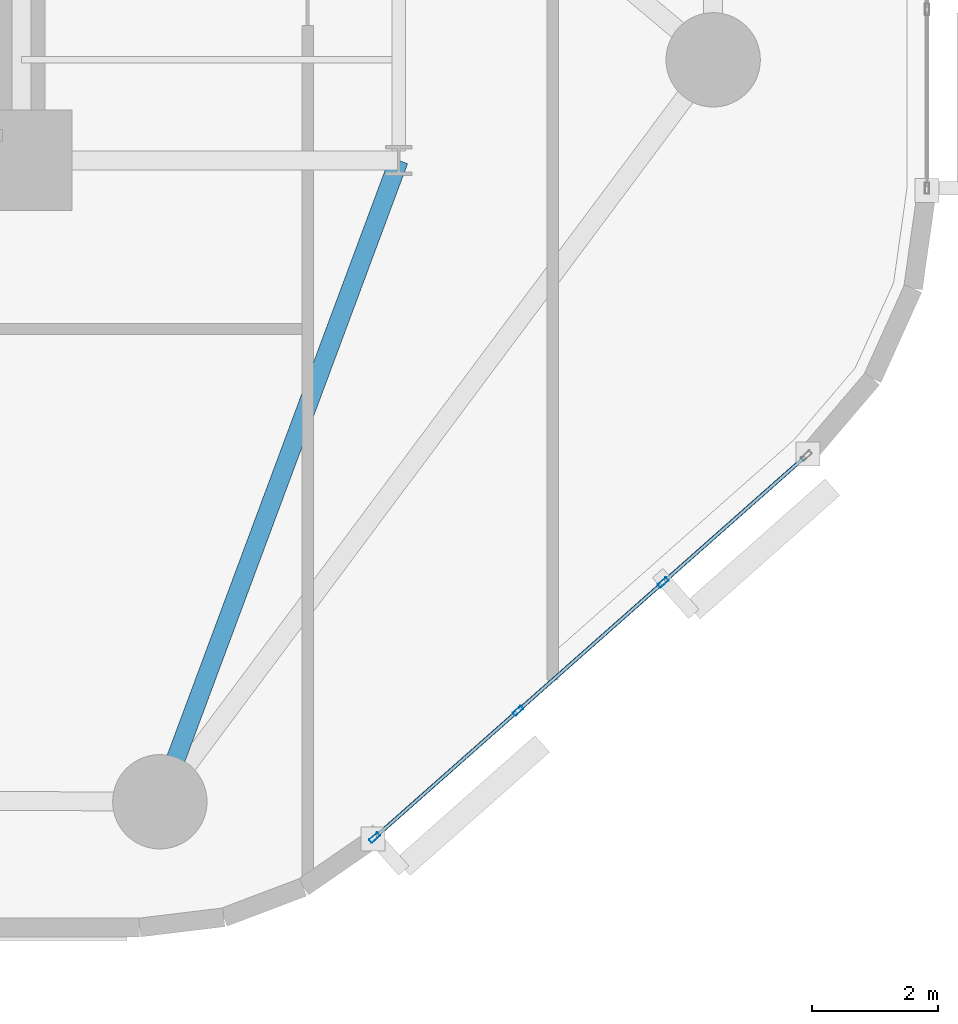
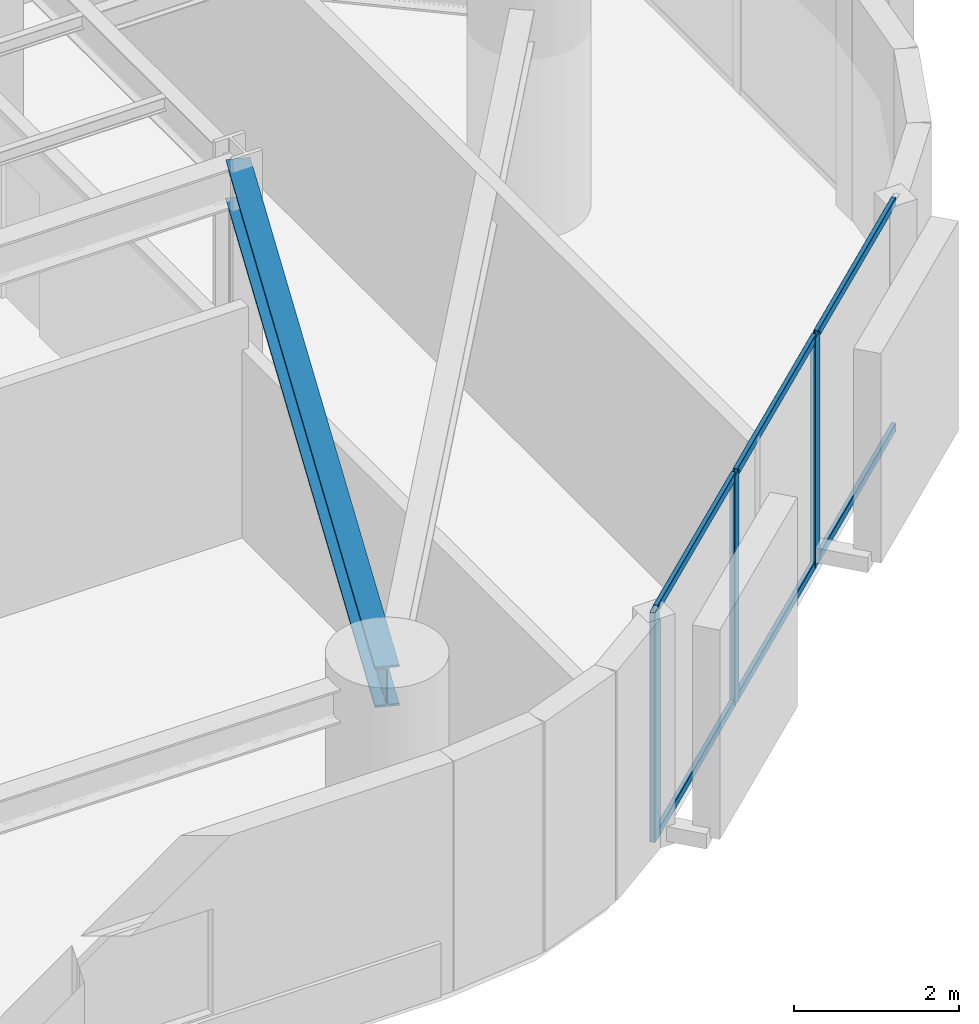
# One storey, part 2 of 15: 9 members, 1 beam, 1 element without a shape of its own.
"""IFC4 building model written with IfcOpenShell, lengths in metres."""

from ifc_helpers import new_model, si_unit, direction, frame, origin, origin_2d, place, context, subcontext, project, spatial, hollow_rectangle, i_section, extrude, material, layer, layer_set, material_profile, profile_set, type_object, element, aggregate, save


model = new_model("IFC4")

# Units and contexts
model_context = context("Model", 3, precision=1e-05, world=origin(), true_north=direction((0.0, 1.0)))
body_context = subcontext(model_context, "Body", "Model", "MODEL_VIEW")
ifc_project = project(units=[si_unit("LENGTHUNIT", "METRE"), si_unit("AREAUNIT", "SQUARE_METRE"), si_unit("VOLUMEUNIT", "CUBIC_METRE"), si_unit("PLANEANGLEUNIT", "RADIAN"), si_unit("MASSUNIT", "GRAM", prefix="KILO")], contexts=[model_context])

# Site, building, storey
site_placement = place(None, origin())
site = spatial("IfcSite", under=ifc_project, at=site_placement, CompositionType="ELEMENT")
building_placement = place(site_placement, origin())
building = spatial("IfcBuilding", under=site, at=building_placement, Name="An Khanh Terracotta Commons", CompositionType="ELEMENT")
storey_placement = place(building_placement, frame((0.0, 0.0, 64.800048828125)))
storey = spatial("IfcBuildingStorey", under=building, at=storey_placement, Name="L17", CompositionType="ELEMENT", Elevation=64.800048828125)

# Beam
ifc_material_1 = material(Name="Steel S355J2", Category="steel")
ifc_material_profile_1 = material_profile(ifc_material_1, i_section(OverallWidth=0.300048828125, OverallDepth=0.60009765625, WebThickness=0.015380859375, FlangeThickness=0.030029296875, FilletRadius=0.027099609375, at=origin_2d()), Name="HEB600")
ifc_profile_set_1 = profile_set([ifc_material_profile_1], Name="Steel S355J2")
beam_type = type_object("IfcBeamType", Name="BM-HEB600", PredefinedType="BEAM", material=ifc_profile_set_1)
beam_placement = place(storey_placement, frame((39.39990234375, 4.199951171875, 3.099853515625), z_axis=(0.349114429862, 0.937080100558, 0.0), x_axis=(-0.937080100558, 0.349114429862, 0.0)))
element("IfcBeam", 1, at=beam_placement, inside=storey, type_object=beam_type, Name="L17 Mega-Column Tie Girder 2", PredefinedType="BEAM", context=body_context, shape_type="SweptSolid", body=[
    extrude(i_section(OverallWidth=0.300048828125, OverallDepth=0.60009765625, WebThickness=0.015380859375, FlangeThickness=0.030029296875, FilletRadius=0.027099609375, at=origin_2d()), origin(), (0.0, 0.0, 1.0), 10.884765625),
])

# Curtain wall, members
ifc_material_2 = material(Name="Anodised Aluminium 6063-T6", Category="aluminium")
ifc_layer = layer(ifc_material_2, 0.199951171875, Name="Anodised Aluminium 6063-T6")
ifc_layer_set = layer_set([ifc_layer], Name="Anodised Aluminium 6063-T6")
curtain_wall_type = type_object("IfcCurtainWallType", Name="CW-SYS-02", PredefinedType="USERDEFINED", material=ifc_layer_set)
curtain_wall_placement = place(storey_placement, origin())
curtain_wall = element("IfcCurtainWall", 2, at=curtain_wall_placement, inside=storey, type_object=curtain_wall_type, Name="L17 CW-02 Unitised Curtain Wall CW-L17-08", ObjectType="UNITISED CURTAIN WALL", PredefinedType="USERDEFINED")
ifc_material_profile_2 = material_profile(ifc_material_2, hollow_rectangle(XDim=0.070068359375, YDim=0.179931640625, WallThickness=0.00390625, InnerFilletRadius=0.00390625, OuterFilletRadius=0.008056640625, at=origin_2d()), Name="RHS180x70x4")
ifc_profile_set_2 = profile_set([ifc_material_profile_2], Name="Anodised Aluminium 6063-T6")
member_type_1 = type_object("IfcMemberType", Name="CWM-RHS180x70x4", PredefinedType="MULLION", material=ifc_profile_set_2)
member_1_placement = place(storey_placement, frame((42.815185546875, 3.629150390625, 0.0), z_axis=(0.0, 0.0, 1.0), x_axis=(-0.662548195415, 0.749019284633, 0.0)))
member_1 = element("IfcMember", 3, at=member_1_placement, type_object=member_type_1, Name="CW-02 mullion 1", PredefinedType="MULLION", context=body_context, shape_type="SweptSolid", body=[
    extrude(hollow_rectangle(XDim=0.070068359375, YDim=0.179931640625, WallThickness=0.00390625, InnerFilletRadius=0.00390625, OuterFilletRadius=0.008056640625, at=origin_2d()), origin(), (0.0, 0.0, 1.0), 3.39990234375),
])
member_2_placement = place(storey_placement, frame((45.095947265625, 5.646728515625, 0.0), z_axis=(0.0, 0.0, 1.0), x_axis=(-0.662548195415, 0.749019284633, 0.0)))
member_2 = element("IfcMember", 4, at=member_2_placement, type_object=member_type_1, Name="CW-02 mullion 2", PredefinedType="MULLION", context=body_context, shape_type="SweptSolid", body=[
    extrude(hollow_rectangle(XDim=0.070068359375, YDim=0.179931640625, WallThickness=0.00390625, InnerFilletRadius=0.00390625, OuterFilletRadius=0.008056640625, at=origin_2d()), origin(), (0.0, 0.0, 1.0), 3.39990234375),
])
member_3_placement = place(storey_placement, frame((47.403076171875, 7.687255859375, 0.0), z_axis=(0.0, 0.0, 1.0), x_axis=(-0.662548195415, 0.749019284633, 0.0)))
member_3 = element("IfcMember", 5, at=member_3_placement, type_object=member_type_1, Name="CW-02 mullion 3", PredefinedType="MULLION", context=body_context, shape_type="SweptSolid", body=[
    extrude(hollow_rectangle(XDim=0.070068359375, YDim=0.179931640625, WallThickness=0.00390625, InnerFilletRadius=0.00390625, OuterFilletRadius=0.008056640625, at=origin_2d()), origin(), (0.0, 0.0, 1.0), 3.39990234375),
])
ifc_material_profile_3 = material_profile(ifc_material_2, hollow_rectangle(XDim=0.06005859375, YDim=0.1201171875, WallThickness=0.003662109375, InnerFilletRadius=0.003662109375, OuterFilletRadius=0.007080078125, at=origin_2d()), Name="RHS120x60x3.6")
ifc_profile_set_3 = profile_set([ifc_material_profile_3], Name="Anodised Aluminium 6063-T6")
member_type_2 = type_object("IfcMemberType", Name="CWT-RHS120x60x3.6", PredefinedType="USERDEFINED", material=ifc_profile_set_3)
member_4_placement = place(storey_placement, frame((42.841552734375, 3.65234375, 0.030029296875), z_axis=(0.74899186341, 0.662579194168, 0.0), x_axis=(-0.662579194168, 0.74899186341, 0.0)))
member_4 = element("IfcMember", 6, at=member_4_placement, type_object=member_type_2, Name="CW-02 transom 1.1", ObjectType="TRANSOM", PredefinedType="USERDEFINED", context=body_context, shape_type="SweptSolid", body=[
    extrude(hollow_rectangle(XDim=0.06005859375, YDim=0.1201171875, WallThickness=0.003662109375, InnerFilletRadius=0.003662109375, OuterFilletRadius=0.007080078125, at=origin_2d()), origin(), (0.0, 0.0, 1.0), 2.97509765625),
])
member_5_placement = place(storey_placement, frame((42.841552734375, 3.65234375, 3.369873046875), z_axis=(0.74899186341, 0.662579194168, 0.0), x_axis=(-0.662579194168, 0.74899186341, 0.0)))
member_5 = element("IfcMember", 7, at=member_5_placement, type_object=member_type_2, Name="CW-02 transom 1.2", ObjectType="TRANSOM", PredefinedType="USERDEFINED", context=body_context, shape_type="SweptSolid", body=[
    extrude(hollow_rectangle(XDim=0.06005859375, YDim=0.1201171875, WallThickness=0.003662109375, InnerFilletRadius=0.003662109375, OuterFilletRadius=0.007080078125, at=origin_2d()), origin(), (0.0, 0.0, 1.0), 2.97509765625),
])
member_6_placement = place(storey_placement, frame((45.122314453125, 5.669921875, 0.030029296875), z_axis=(0.749018237701, 0.662549378984, 0.0), x_axis=(-0.662549378984, 0.749018237701, 0.0)))
member_6 = element("IfcMember", 8, at=member_6_placement, type_object=member_type_2, Name="CW-02 transom 2.1", ObjectType="TRANSOM", PredefinedType="USERDEFINED", context=body_context, shape_type="SweptSolid", body=[
    extrude(hollow_rectangle(XDim=0.06005859375, YDim=0.1201171875, WallThickness=0.003662109375, InnerFilletRadius=0.003662109375, OuterFilletRadius=0.007080078125, at=origin_2d()), origin(), (0.0, 0.0, 1.0), 3.009765625),
])
member_7_placement = place(storey_placement, frame((45.122314453125, 5.669921875, 3.369873046875), z_axis=(0.749018237701, 0.662549378984, 0.0), x_axis=(-0.662549378984, 0.749018237701, 0.0)))
member_7 = element("IfcMember", 9, at=member_7_placement, type_object=member_type_2, Name="CW-02 transom 2.2", ObjectType="TRANSOM", PredefinedType="USERDEFINED", context=body_context, shape_type="SweptSolid", body=[
    extrude(hollow_rectangle(XDim=0.06005859375, YDim=0.1201171875, WallThickness=0.003662109375, InnerFilletRadius=0.003662109375, OuterFilletRadius=0.007080078125, at=origin_2d()), origin(), (0.0, 0.0, 1.0), 3.009765625),
])
member_8_placement = place(storey_placement, frame((47.42919921875, 7.71044921875, 0.030029296875), z_axis=(0.74899186341, 0.662579194168, 0.0), x_axis=(-0.662579194168, 0.74899186341, 0.0)))
member_8 = element("IfcMember", 10, at=member_8_placement, type_object=member_type_2, Name="CW-02 transom 3.1", ObjectType="TRANSOM", PredefinedType="USERDEFINED", context=body_context, shape_type="SweptSolid", body=[
    extrude(hollow_rectangle(XDim=0.06005859375, YDim=0.1201171875, WallThickness=0.003662109375, InnerFilletRadius=0.003662109375, OuterFilletRadius=0.007080078125, at=origin_2d()), origin(), (0.0, 0.0, 1.0), 2.97509765625),
])
member_9_placement = place(storey_placement, frame((47.42919921875, 7.71044921875, 3.369873046875), z_axis=(0.74899186341, 0.662579194168, 0.0), x_axis=(-0.662579194168, 0.74899186341, 0.0)))
member_9 = element("IfcMember", 11, at=member_9_placement, type_object=member_type_2, Name="CW-02 transom 3.2", ObjectType="TRANSOM", PredefinedType="USERDEFINED", context=body_context, shape_type="SweptSolid", body=[
    extrude(hollow_rectangle(XDim=0.06005859375, YDim=0.1201171875, WallThickness=0.003662109375, InnerFilletRadius=0.003662109375, OuterFilletRadius=0.007080078125, at=origin_2d()), origin(), (0.0, 0.0, 1.0), 2.97509765625),
])
aggregate(curtain_wall, [member_1, member_2, member_3, member_4, member_5, member_6, member_7, member_8, member_9])

save(model, "model.ifc")
